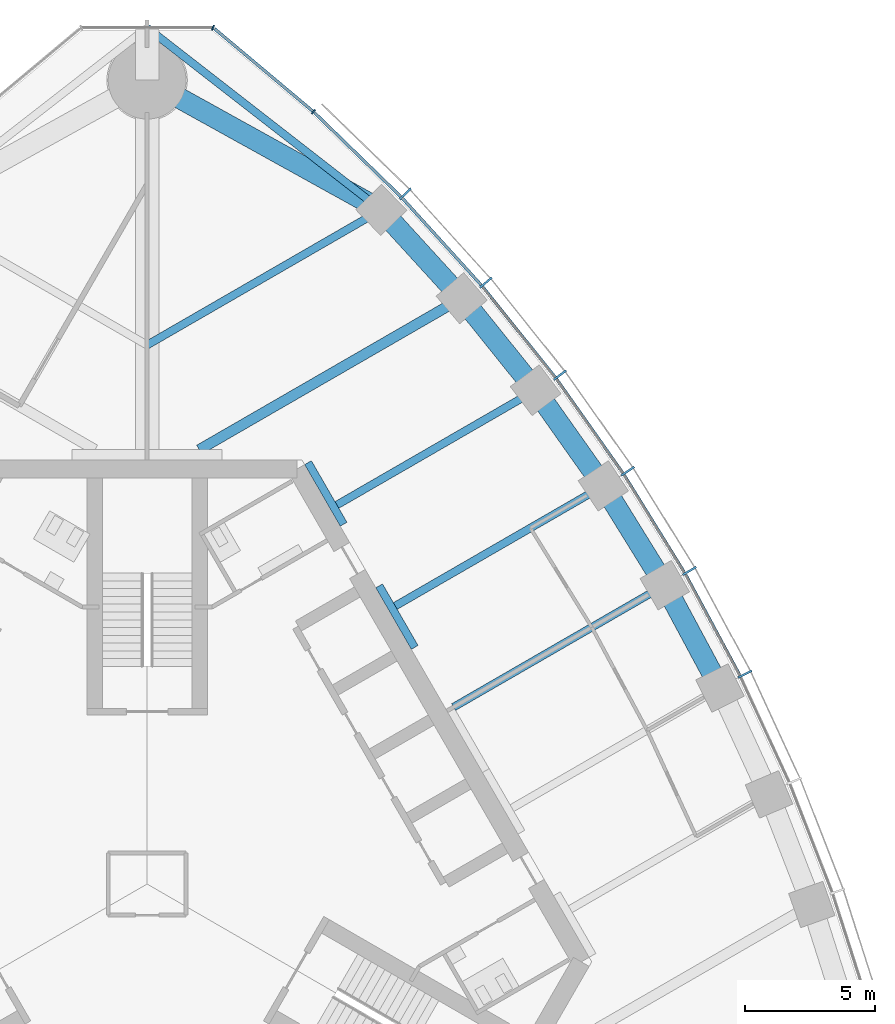
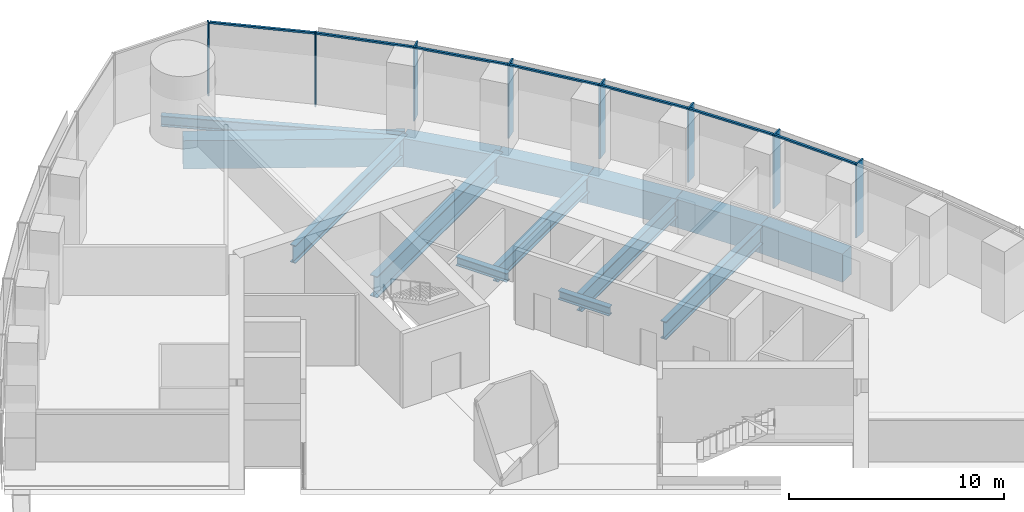
# One storey, part 6 of 15: 15 members, 14 beams, 2 elements without a shape of their own.
"""IFC4 building model written with IfcOpenShell, lengths in metres."""

import ifcopenshell
import ifcopenshell.guid

model = None  # the IFC model being written
_history = None  # IfcOwnerHistory: only IFC2X3 demands one
_inside = {}  # id of a spatial element -> (the spatial element, [elements in it])
_under = {}  # id of a project, library or spatial element -> (it, [spatial elements below it])
_declared = {}  # id of a project -> (the project, [libraries it declares])
_typed = {}  # id of a type object -> (the type object, [elements of that type])
_made_of = {}  # id of a material, layer set ... -> (it, [elements and type objects made of it])


def new_model(schema):
    """Start an empty IFC model of exactly this schema.

    Asked for "IFC4X3", IfcOpenShell would pick the latest addendum, in which some entities
    have other attributes; the version numbers below select the first issue.
    IFC2X3 requires an IfcOwnerHistory on every rooted entity: one is made here for all.
    """
    global model, _history
    if schema == "IFC4X3":
        model = ifcopenshell.file(schema_version=(4, 3, 0, 0))
    else:
        model = ifcopenshell.file(schema=schema)
    _inside.clear()
    _under.clear()
    _declared.clear()
    _typed.clear()
    _made_of.clear()
    _history = None
    if model.schema == "IFC2X3":
        org = make("IfcOrganization", Name="unknown")
        user = make(
            "IfcPersonAndOrganization",
            ThePerson=make("IfcPerson", FamilyName="unknown"),
            TheOrganization=org,
        )
        app = make(
            "IfcApplication",
            ApplicationDeveloper=org,
            Version="unknown",
            ApplicationFullName="unknown",
            ApplicationIdentifier="unknown",
        )
        _history = make(
            "IfcOwnerHistory",
            OwningUser=user,
            OwningApplication=app,
            ChangeAction="ADDED",
            CreationDate=0,
        )
    return model


def make(cls, **values):
    """One entity of the class cls with the attributes given. An attribute that is None is left unset."""
    return model.create_entity(
        cls, **{name: value for name, value in values.items() if value is not None}
    )


def rooted(cls, **values):
    """An entity with a GlobalId (a new one), such as an element, a storey or a relation."""
    return make(cls, GlobalId=ifcopenshell.guid.new(), OwnerHistory=_history, **values)


def si_unit(unit_type, name, prefix=None):
    """IfcSIUnit, for example si_unit("LENGTHUNIT", "METRE", prefix="MILLI")."""
    return make("IfcSIUnit", UnitType=unit_type, Prefix=prefix, Name=name)


def assignment(units):
    """IfcUnitAssignment: the units of a project."""
    return None if units is None else make("IfcUnitAssignment", Units=units)


def point(xyz):
    """IfcCartesianPoint."""
    return None if xyz is None else make("IfcCartesianPoint", Coordinates=xyz)


def direction(xyz):
    """IfcDirection."""
    return None if xyz is None else make("IfcDirection", DirectionRatios=xyz)


def frame(location, z_axis=None, x_axis=None):
    """IfcAxis2Placement3D, a coordinate frame: its origin and axes. An axis left out is left unset."""
    return make(
        "IfcAxis2Placement3D",
        Location=point(location),
        Axis=direction(z_axis),
        RefDirection=direction(x_axis),
    )


def frame_2d(location, x_axis=None):
    """IfcAxis2Placement2D, a coordinate frame in the plane: its origin and x axis."""
    return make(
        "IfcAxis2Placement2D", Location=point(location), RefDirection=direction(x_axis)
    )


def origin():
    """The frame at (0, 0, 0) with its axes left unset."""
    return frame((0.0, 0.0, 0.0))


def origin_2d():
    """The frame at (0, 0) in the plane with its x axis left unset."""
    return frame_2d((0.0, 0.0))


def place(relative_to, where):
    """IfcLocalPlacement: puts the frame where relative to a parent placement (None: the world)."""
    return make(
        "IfcLocalPlacement", PlacementRelTo=relative_to, RelativePlacement=where
    )


def context(
    kind, dimensions, precision=None, world=None, true_north=None, identifier=None
):
    """IfcGeometricRepresentationContext, for example the 3D "Model" context."""
    return make(
        "IfcGeometricRepresentationContext",
        ContextIdentifier=identifier,
        ContextType=kind,
        CoordinateSpaceDimension=dimensions,
        Precision=precision,
        WorldCoordinateSystem=world,
        TrueNorth=true_north,
    )


def subcontext(parent, identifier, kind, view, scale=None):
    """IfcGeometricRepresentationSubContext, for example "Body" below "Model"."""
    return make(
        "IfcGeometricRepresentationSubContext",
        ContextIdentifier=identifier,
        ContextType=kind,
        ParentContext=parent,
        TargetScale=scale,
        TargetView=view,
    )


def project(units=None, contexts=None):
    """IfcProject with its units and contexts."""
    return rooted(
        "IfcProject",
        Name="project",
        RepresentationContexts=contexts,
        UnitsInContext=assignment(units),
    )


def spatial(cls, under=None, at=None, **own):
    """A site, building, storey or space (cls), placed at a placement, below another one or the project."""
    s = rooted(cls, ObjectPlacement=at, **own)
    if under is not None:
        _under.setdefault(under.id(), (under, []))[1].append(s)
    return s


def profile(cls, at=None, kind="AREA", **sizes):
    """A parametric profile (cls). Its sizes go by their IFC names, for example OverallWidth=200.0."""
    return make(cls, ProfileType=kind, Position=at, **sizes)


def rectangle(**sizes):
    """IfcRectangleProfileDef."""
    return profile("IfcRectangleProfileDef", **sizes)


def i_section(**sizes):
    """IfcIShapeProfileDef."""
    return profile("IfcIShapeProfileDef", **sizes)


def extrude(swept, where, along, depth):
    """IfcExtrudedAreaSolid: the profile swept, set in the frame where, extruded along a direction by depth."""
    return make(
        "IfcExtrudedAreaSolid",
        SweptArea=swept,
        Position=where,
        ExtrudedDirection=direction(along),
        Depth=depth,
    )


def shape(context_of_items, identifier, shape_type, items):
    """IfcShapeRepresentation: the items that make up one representation, for example the "Body"."""
    return make(
        "IfcShapeRepresentation",
        ContextOfItems=context_of_items,
        RepresentationIdentifier=identifier,
        RepresentationType=shape_type,
        Items=items,
    )


def material(Name=None, Category=None):
    """IfcMaterial."""
    return make("IfcMaterial", Name=Name, Category=Category)


def material_profile(
    of_material, cross_section, Name=None, Category=None, Priority=None
):
    """IfcMaterialProfile: a cross section and its material."""
    return make(
        "IfcMaterialProfile",
        Name=Name,
        Material=of_material,
        Profile=cross_section,
        Priority=Priority,
        Category=Category,
    )


def profile_set(profiles, Name=None, composite=None):
    """IfcMaterialProfileSet."""
    return make(
        "IfcMaterialProfileSet",
        Name=Name,
        MaterialProfiles=profiles,
        CompositeProfile=composite,
    )


def made_of(thing, what):
    """Note that an element or type object is made of a material, layer set ...; save() writes the relation."""
    if what is not None:
        _made_of.setdefault(what.id(), (what, []))[1].append(thing)
    return thing


def type_object(cls, material=None, **own):
    """A type object (cls), such as IfcWallType, which elements share."""
    return made_of(rooted(cls, **own), material)


def element(
    cls,
    number,
    at=None,
    inside=None,
    cuts=None,
    type_object=None,
    material=None,
    context=None,
    identifier="Body",
    shape_type=None,
    held_by="IfcProductDefinitionShape",
    body=None,
    shapes=None,
    **own,
):
    """One element of the class cls, such as IfcWall. Its Tag is "e" and its number.

    at: its placement. inside: the storey or other place that contains it. cuts: it is an
    opening in that element (IfcRelVoidsElement). A single representation is given by context,
    identifier, shape_type and body (its items); several are given by shapes. held_by: the class
    of the entity that holds the representations. save() writes the other relations.
    """
    e = rooted(cls, Tag="e%d" % number, ObjectPlacement=at, **own)
    if body is not None:
        shapes = [shape(context, identifier, shape_type, body)]
    if shapes is not None:
        e.Representation = make(held_by, Representations=shapes)
    if inside is not None:
        _inside.setdefault(inside.id(), (inside, []))[1].append(e)
    if cuts is not None:
        rooted(
            "IfcRelVoidsElement", RelatingBuildingElement=cuts, RelatedOpeningElement=e
        )
    if type_object is not None:
        _typed.setdefault(type_object.id(), (type_object, []))[1].append(e)
    return made_of(e, material)


def aggregate(whole, parts):
    """IfcRelAggregates: a whole, such as a stair, and the parts it consists of."""
    return rooted("IfcRelAggregates", RelatingObject=whole, RelatedObjects=parts)


def save(model, path):
    """Write the relations noted so far, then the file.

    IfcRelAggregates (storeys below a building ...), IfcRelContainedInSpatialStructure (elements
    in a storey), IfcRelDefinesByType, IfcRelAssociatesMaterial and IfcRelDeclares: one each for
    every whole, place, type object, material and project.
    """
    for whole, parts in _under.values():
        aggregate(whole, parts)
    for where, things in _inside.values():
        rooted(
            "IfcRelContainedInSpatialStructure",
            RelatedElements=things,
            RelatingStructure=where,
        )
    for kind, things in _typed.values():
        rooted("IfcRelDefinesByType", RelatedObjects=things, RelatingType=kind)
    for what, things in _made_of.values():
        rooted("IfcRelAssociatesMaterial", RelatedObjects=things, RelatingMaterial=what)
    for by, libraries in _declared.values():
        rooted("IfcRelDeclares", RelatingContext=by, RelatedDefinitions=libraries)
    model.write(path)


model = new_model("IFC4")

# Units and contexts
model_context = context("Model", 3, precision=1e-05, world=origin(), true_north=direction((0.0, 1.0)))
body_context = subcontext(model_context, "Body", "Model", "MODEL_VIEW")
ifc_project = project(units=[si_unit("LENGTHUNIT", "METRE"), si_unit("AREAUNIT", "SQUARE_METRE"), si_unit("VOLUMEUNIT", "CUBIC_METRE"), si_unit("PLANEANGLEUNIT", "RADIAN"), si_unit("MASSUNIT", "GRAM", prefix="KILO")], contexts=[model_context])

# Site, building, storey
site_placement = place(None, origin())
site = spatial("IfcSite", under=ifc_project, at=site_placement, CompositionType="ELEMENT")
building_placement = place(site_placement, origin())
building = spatial("IfcBuilding", under=site, at=building_placement, Name="Trefoil Bronze Tower", CompositionType="ELEMENT")
storey_placement = place(building_placement, frame((0.0, 0.0, 288.89990234375)))
storey = spatial("IfcBuildingStorey", under=building, at=storey_placement, Name="L66", CompositionType="ELEMENT", Elevation=288.89990234375)

# Curtain wall, members
ifc_material_1 = material(Name="Tinted solar-control glass", Category="glass")
curtain_wall_type_1 = type_object("IfcCurtainWallType", Name="Bronze office curtain wall", PredefinedType="USERDEFINED", material=ifc_material_1)
curtain_wall_1_placement = place(storey_placement, origin())
curtain_wall_1 = element("IfcCurtainWall", 1, at=curtain_wall_1_placement, inside=storey, type_object=curtain_wall_type_1, Name="CW-A L66 F2", ObjectType="CURTAIN WALL", PredefinedType="USERDEFINED")
ifc_material_2 = material(Name="Bronze-finish aluminium", Category="aluminium")
ifc_material_profile_1 = material_profile(ifc_material_2, rectangle(XDim=0.60009765625, YDim=0.080078125, at=origin_2d()), Name="CW-A mullion")
ifc_profile_set_1 = profile_set([ifc_material_profile_1], Name="Bronze-finish aluminium")
member_type_1 = type_object("IfcMemberType", Name="Bronze office curtain wall mullion", PredefinedType="MULLION", material=ifc_profile_set_1)
member_1_placement = place(storey_placement, frame((23.056396484375, 8.094482421875, 0.0), z_axis=(0.0, 0.0, 1.0), x_axis=(-0.894713198289, -0.44664112306, 0.0)))
member_1 = element("IfcMember", 2, at=member_1_placement, type_object=member_type_1, Name="CW-A L66 F2 mullion 5", PredefinedType="MULLION", context=body_context, shape_type="SweptSolid", body=[
    extrude(rectangle(XDim=0.60009765625, YDim=0.080078125, at=origin_2d()), origin(), (0.0, 0.0, 1.0), 4.18017578125),
])
member_2_placement = place(storey_placement, frame((20.916015625, 12.07568359375, 0.0), z_axis=(0.0, 0.0, 1.0), x_axis=(-0.866025403784, -0.5, 0.0)))
member_2 = element("IfcMember", 3, at=member_2_placement, type_object=member_type_1, Name="CW-A L66 F2 mullion 6", PredefinedType="MULLION", context=body_context, shape_type="SweptSolid", body=[
    extrude(rectangle(XDim=0.60009765625, YDim=0.080078125, at=origin_2d()), origin(), (0.0, 0.0, 1.0), 4.18017578125),
])
member_3_placement = place(storey_placement, frame((18.538330078125, 15.920166015625, 0.0), z_axis=(0.0, 0.0, 1.0), x_axis=(-0.834159158089, -0.551523797289, 0.0)))
member_3 = element("IfcMember", 4, at=member_3_placement, type_object=member_type_1, Name="CW-A L66 F2 mullion 7", PredefinedType="MULLION", context=body_context, shape_type="SweptSolid", body=[
    extrude(rectangle(XDim=0.60009765625, YDim=0.080078125, at=origin_2d()), origin(), (0.0, 0.0, 1.0), 4.18017578125),
])
member_4_placement = place(storey_placement, frame((15.922607421875, 19.627197265625, 0.0), z_axis=(0.0, 0.0, 1.0), x_axis=(-0.799096076136, -0.601203344222, 0.0)))
member_4 = element("IfcMember", 5, at=member_4_placement, type_object=member_type_1, Name="CW-A L66 F2 mullion 8", PredefinedType="MULLION", context=body_context, shape_type="SweptSolid", body=[
    extrude(rectangle(XDim=0.60009765625, YDim=0.080078125, at=origin_2d()), origin(), (0.0, 0.0, 1.0), 4.18017578125),
])
member_5_placement = place(storey_placement, frame((13.064453125, 23.194091796875, 0.0), z_axis=(0.0, 0.0, 1.0), x_axis=(-0.760781190165, -0.649008459646, 0.0)))
member_5 = element("IfcMember", 6, at=member_5_placement, type_object=member_type_1, Name="CW-A L66 F2 mullion 9", PredefinedType="MULLION", context=body_context, shape_type="SweptSolid", body=[
    extrude(rectangle(XDim=0.60009765625, YDim=0.080078125, at=origin_2d()), origin(), (0.0, 0.0, 1.0), 4.18017578125),
])
member_6_placement = place(storey_placement, frame((9.957275390625, 26.617431640625, 0.0), z_axis=(0.0, 0.0, 1.0), x_axis=(-0.719001349715, -0.695008675564, 0.0)))
member_6 = element("IfcMember", 7, at=member_6_placement, type_object=member_type_1, Name="CW-A L66 F2 mullion 10", PredefinedType="MULLION", context=body_context, shape_type="SweptSolid", body=[
    extrude(rectangle(XDim=0.60009765625, YDim=0.080078125, at=origin_2d()), origin(), (0.0, 0.0, 1.0), 4.18017578125),
])
ifc_material_3 = material(Name="Bronze-finish aluminium", Category="aluminium")
ifc_material_profile_2 = material_profile(ifc_material_3, rectangle(XDim=0.1201171875, YDim=0.10009765625, at=origin_2d()), Name="CW-A transom")
ifc_profile_set_2 = profile_set([ifc_material_profile_2], Name="Bronze-finish aluminium")
member_type_2 = type_object("IfcMemberType", Name="Bronze office curtain wall transom", PredefinedType="USERDEFINED", material=ifc_profile_set_2)
member_7_placement = place(storey_placement, frame((22.857177734375, 8.043212890625, 4.130126953125), z_axis=(-0.473540024981, 0.880772300167, 0.0), x_axis=(-0.880772300167, -0.473540024981, 0.0)))
member_7 = element("IfcMember", 8, at=member_7_placement, type_object=member_type_2, Name="CW-A L66 F2 transom 5", ObjectType="TRANSOM", PredefinedType="USERDEFINED", context=body_context, shape_type="SweptSolid", body=[
    extrude(rectangle(XDim=0.1201171875, YDim=0.10009765625, at=origin_2d()), origin(), (0.0, 0.0, 1.0), 4.422119140625),
])
member_8_placement = place(storey_placement, frame((20.72021484375, 12.012451171875, 4.130126953125), z_axis=(-0.525978235299, 0.850498028212, 0.0), x_axis=(-0.850498028212, -0.525978235299, 0.0)))
member_8 = element("IfcMember", 9, at=member_8_placement, type_object=member_type_2, Name="CW-A L66 F2 transom 6", ObjectType="TRANSOM", PredefinedType="USERDEFINED", context=body_context, shape_type="SweptSolid", body=[
    extrude(rectangle(XDim=0.1201171875, YDim=0.10009765625, at=origin_2d()), origin(), (0.0, 0.0, 1.0), 4.422119140625),
])
member_9_placement = place(storey_placement, frame((18.3466796875, 15.84521484375, 4.130126953125), z_axis=(-0.5765665752, 0.817050172488, 0.0), x_axis=(-0.817050172488, -0.5765665752, 0.0)))
member_9 = element("IfcMember", 10, at=member_9_placement, type_object=member_type_2, Name="CW-A L66 F2 transom 7", ObjectType="TRANSOM", PredefinedType="USERDEFINED", context=body_context, shape_type="SweptSolid", body=[
    extrude(rectangle(XDim=0.1201171875, YDim=0.10009765625, at=origin_2d()), origin(), (0.0, 0.0, 1.0), 4.4384765625),
])
member_10_placement = place(storey_placement, frame((15.73583984375, 19.54052734375, 4.130126953125), z_axis=(-0.625300648488, 0.780383943325, 0.0), x_axis=(-0.780383943325, -0.625300648488, 0.0)))
member_10 = element("IfcMember", 11, at=member_10_placement, type_object=member_type_2, Name="CW-A L66 F2 transom 8", ObjectType="TRANSOM", PredefinedType="USERDEFINED", context=body_context, shape_type="SweptSolid", body=[
    extrude(rectangle(XDim=0.1201171875, YDim=0.10009765625, at=origin_2d()), origin(), (0.0, 0.0, 1.0), 4.472412109375),
])
member_11_placement = place(storey_placement, frame((12.88330078125, 23.09619140625, 4.130126953125), z_axis=(-0.672068269674, 0.740489190264, 0.0), x_axis=(-0.740489190264, -0.672068269674, 0.0)))
member_11 = element("IfcMember", 12, at=member_11_placement, type_object=member_type_2, Name="CW-A L66 F2 transom 9", ObjectType="TRANSOM", PredefinedType="USERDEFINED", context=body_context, shape_type="SweptSolid", body=[
    extrude(rectangle(XDim=0.1201171875, YDim=0.10009765625, at=origin_2d()), origin(), (0.0, 0.0, 1.0), 4.5244140625),
])
member_12_placement = place(storey_placement, frame((9.782470703125, 26.508544921875, 4.130126953125), z_axis=(-0.717224617883, 0.696842053484, 0.0), x_axis=(-0.696842053484, -0.717224617883, 0.0)))
member_12 = element("IfcMember", 13, at=member_12_placement, type_object=member_type_2, Name="CW-A L66 F2 transom 10", ObjectType="TRANSOM", PredefinedType="USERDEFINED", context=body_context, shape_type="SweptSolid", body=[
    extrude(rectangle(XDim=0.1201171875, YDim=0.10009765625, at=origin_2d()), origin(), (0.0, 0.0, 1.0), 4.6474609375),
])
aggregate(curtain_wall_1, [member_1, member_2, member_3, member_4, member_5, member_6, member_7, member_8, member_9, member_10, member_11, member_12])

ifc_material_4 = material(Name="Tinted solar-control glass", Category="glass")
curtain_wall_type_2 = type_object("IfcCurtainWallType", Name="Bronze rounded corner curtain wall", PredefinedType="USERDEFINED", material=ifc_material_4)
curtain_wall_2_placement = place(storey_placement, origin())
curtain_wall_2 = element("IfcCurtainWall", 14, at=curtain_wall_2_placement, inside=storey, type_object=curtain_wall_type_2, Name="CW-B L66 K2", ObjectType="CURTAIN WALL", PredefinedType="USERDEFINED")
ifc_material_5 = material(Name="Bronze-finish aluminium", Category="aluminium")
ifc_material_profile_3 = material_profile(ifc_material_5, rectangle(XDim=0.199951171875, YDim=0.06005859375, at=origin_2d()), Name="CW-B mullion")
ifc_profile_set_3 = profile_set([ifc_material_profile_3], Name="Bronze-finish aluminium")
member_type_3 = type_object("IfcMemberType", Name="Bronze rounded corner curtain wall mullion", PredefinedType="MULLION", material=ifc_profile_set_3)
member_13_placement = place(storey_placement, frame((6.4150390625, 29.77978515625, 0.0), z_axis=(0.0, 0.0, 1.0), x_axis=(-0.642787609687, -0.766044443119, 0.0)))
member_13 = element("IfcMember", 15, at=member_13_placement, type_object=member_type_3, Name="CW-B L66 K2 mullion 1", PredefinedType="MULLION", context=body_context, shape_type="SweptSolid", body=[
    extrude(rectangle(XDim=0.199951171875, YDim=0.06005859375, at=origin_2d()), origin(), (0.0, 0.0, 1.0), 4.18017578125),
])
member_14_placement = place(storey_placement, frame((2.542236328125, 33.021484375, 0.0), z_axis=(0.0, 0.0, 1.0), x_axis=(-0.342020143326, -0.939692620786, 0.0)))
member_14 = element("IfcMember", 16, at=member_14_placement, type_object=member_type_3, Name="CW-B L66 K2 mullion 2", PredefinedType="MULLION", context=body_context, shape_type="SweptSolid", body=[
    extrude(rectangle(XDim=0.199951171875, YDim=0.06005859375, at=origin_2d()), origin(), (0.0, 0.0, 1.0), 4.18017578125),
])
ifc_material_6 = material(Name="Bronze-finish aluminium", Category="aluminium")
ifc_material_profile_4 = material_profile(ifc_material_6, rectangle(XDim=0.1201171875, YDim=0.10009765625, at=origin_2d()), Name="CW-B transom")
ifc_profile_set_4 = profile_set([ifc_material_profile_4], Name="Bronze-finish aluminium")
member_type_4 = type_object("IfcMemberType", Name="Bronze rounded corner curtain wall transom", PredefinedType="USERDEFINED", material=ifc_profile_set_4)
member_15_placement = place(storey_placement, frame((6.39208984375, 29.799072265625, 4.130126953125), z_axis=(-0.766040522511, 0.642792282056, 0.0), x_axis=(-0.642792282056, -0.766040522511, 0.0)))
member_15 = element("IfcMember", 17, at=member_15_placement, type_object=member_type_4, Name="CW-B L66 K2 transom 1", ObjectType="TRANSOM", PredefinedType="USERDEFINED", context=body_context, shape_type="SweptSolid", body=[
    extrude(rectangle(XDim=0.1201171875, YDim=0.10009765625, at=origin_2d()), origin(), (0.0, 0.0, 1.0), 4.9560546875),
])
aggregate(curtain_wall_2, [member_13, member_14, member_15])

# Beams
ifc_material_7 = material(Name="Steel C355", Category="steel")
ifc_material_profile_5 = material_profile(ifc_material_7, i_section(OverallWidth=0.300048828125, OverallDepth=0.5, WebThickness=0.014404296875, FlangeThickness=0.028076171875, FilletRadius=0.027099609375, at=origin_2d()), Name="HEB 500")
ifc_profile_set_5 = profile_set([ifc_material_profile_5], Name="Steel C355")
beam_type_1 = type_object("IfcBeamType", Name="Core seat beam HEB 500", PredefinedType="BEAM", material=ifc_profile_set_5)
for number, where, z_axis, x_axis, name in (
    (18, (10.320068359375, 9.125, -0.449951171875), (-0.499969057507, 0.866043267704, 0.0), (-0.866043267704, -0.499969057507, 0.0), "Core seat beam F2/+1 L66"),
    (19, (7.57763671875, 13.875, -0.449951171875), (-0.499969057507, 0.866043267704, 0.0), (-0.866043267704, -0.499969057507, 0.0), "Core seat beam F2/+2 L66"),
):
    element("IfcBeam", number, at=place(storey_placement, frame(where, z_axis=z_axis, x_axis=x_axis)), inside=storey, type_object=beam_type_1, Name=name, PredefinedType="BEAM", context=body_context, shape_type="SweptSolid", body=[
        extrude(i_section(OverallWidth=0.300048828125, OverallDepth=0.5, WebThickness=0.014404296875, FlangeThickness=0.028076171875, FilletRadius=0.027099609375, at=origin_2d()), origin(), (0.0, 0.0, 1.0), 2.742431640625),
    ])
ifc_material_8 = material(Name="Steel C355", Category="steel")
ifc_material_profile_6 = material_profile(ifc_material_8, i_section(OverallWidth=0.300048828125, OverallDepth=0.60009765625, WebThickness=0.015380859375, FlangeThickness=0.030029296875, FilletRadius=0.027099609375, at=origin_2d()), Name="HEB 600")
ifc_profile_set_6 = profile_set([ifc_material_profile_6], Name="Steel C355")
beam_type_2 = type_object("IfcBeamType", Name="Corner edge beam HEB 600", PredefinedType="BEAM", material=ifc_profile_set_6)
beam_1_placement = place(storey_placement, frame((9.02734375, 25.99658203125, -0.5), z_axis=(-0.789270604977, 0.614045529354, 0.0), x_axis=(-0.614045529354, -0.789270604977, 0.0)))
element("IfcBeam", 20, at=beam_1_placement, inside=storey, type_object=beam_type_2, Name="Corner edge beam F2A L66", PredefinedType="BEAM", context=body_context, shape_type="SweptSolid", body=[
    extrude(i_section(OverallWidth=0.300048828125, OverallDepth=0.60009765625, WebThickness=0.015380859375, FlangeThickness=0.030029296875, FilletRadius=0.027099609375, at=origin_2d()), origin(), (0.0, 0.0, 1.0), 11.4375),
])
ifc_material_9 = material(Name="Concrete B80", Category="concrete")
ifc_material_profile_7 = material_profile(ifc_material_9, rectangle(XDim=0.800048828125, YDim=1.60009765625, at=origin_2d()), Name="RC 800x1600")
ifc_profile_set_7 = profile_set([ifc_material_profile_7], Name="Concrete B80")
beam_type_3 = type_object("IfcBeamType", Name="End spandrel beam RC 800x1600", PredefinedType="SPANDREL", material=ifc_profile_set_7)
beam_2_placement = place(storey_placement, frame((9.02734375, 25.99658203125, -1.0), z_axis=(-0.874641085074, 0.484771051426, 0.0), x_axis=(-0.484771051426, -0.874641085074, 0.0)))
element("IfcBeam", 21, at=beam_2_placement, inside=storey, type_object=beam_type_3, Name="Spandrel F2.10 L66", PredefinedType="SPANDREL", context=body_context, shape_type="SweptSolid", body=[
    extrude(rectangle(XDim=0.800048828125, YDim=1.60009765625, at=origin_2d()), origin(), (0.0, 0.0, 1.0), 10.3212890625),
])
ifc_material_10 = material(Name="Steel C355", Category="steel")
ifc_material_profile_8 = material_profile(ifc_material_10, i_section(OverallWidth=0.300048828125, OverallDepth=1.0, WebThickness=0.01904296875, FlangeThickness=0.035888671875, FilletRadius=0.030029296875, at=origin_2d()), Name="HEB 1000")
ifc_profile_set_8 = profile_set([ifc_material_profile_8], Name="Steel C355")
beam_type_4 = type_object("IfcBeamType", Name="Floor beam HEB 1000", PredefinedType="BEAM", material=ifc_profile_set_8)
beam_3_placement = place(storey_placement, frame((19.96337890625, 11.52587890625, -0.699951171875), z_axis=(-0.866021259968, -0.500007177232, 0.0), x_axis=(0.500007177232, -0.866021259968, 0.0)))
element("IfcBeam", 22, at=beam_3_placement, inside=storey, type_object=beam_type_4, Name="Floor beam F2/+0 L66", PredefinedType="BEAM", context=body_context, shape_type="SweptSolid", body=[
    extrude(i_section(OverallWidth=0.300048828125, OverallDepth=1.0, WebThickness=0.01904296875, FlangeThickness=0.035888671875, FilletRadius=0.030029296875, at=origin_2d()), origin(), (0.0, 0.0, 1.0), 9.401611328125),
])
beam_4_placement = place(storey_placement, frame((17.593994140625, 15.35400390625, -0.699951171875), z_axis=(-0.866028909405, -0.499993928037, 0.0), x_axis=(0.499993928037, -0.866028909405, 0.0)))
element("IfcBeam", 23, at=beam_4_placement, inside=storey, type_object=beam_type_4, Name="Floor beam F2/+1 L66", PredefinedType="BEAM", context=body_context, shape_type="SweptSolid", body=[
    extrude(i_section(OverallWidth=0.300048828125, OverallDepth=1.0, WebThickness=0.01904296875, FlangeThickness=0.035888671875, FilletRadius=0.030029296875, at=origin_2d()), origin(), (0.0, 0.0, 1.0), 9.263671875),
])
ifc_material_11 = material(Name="Steel C355", Category="steel")
ifc_material_profile_9 = material_profile(ifc_material_11, i_section(OverallWidth=0.300048828125, OverallDepth=0.89990234375, WebThickness=0.0185546875, FlangeThickness=0.034912109375, FilletRadius=0.030029296875, at=origin_2d()), Name="HEB 900")
ifc_profile_set_9 = profile_set([ifc_material_profile_9], Name="Steel C355")
beam_type_5 = type_object("IfcBeamType", Name="Floor beam HEB 900", PredefinedType="BEAM", material=ifc_profile_set_9)
beam_5_placement = place(storey_placement, frame((14.98486328125, 19.043701171875, -0.64990234375), z_axis=(-0.866025701847, -0.499999483739, 0.0), x_axis=(0.499999483739, -0.866025701847, 0.0)))
element("IfcBeam", 24, at=beam_5_placement, inside=storey, type_object=beam_type_5, Name="Floor beam F2/+2 L66", PredefinedType="BEAM", context=body_context, shape_type="SweptSolid", body=[
    extrude(i_section(OverallWidth=0.300048828125, OverallDepth=0.89990234375, WebThickness=0.0185546875, FlangeThickness=0.034912109375, FilletRadius=0.030029296875, at=origin_2d()), origin(), (0.0, 0.0, 1.0), 8.84912109375),
])
ifc_material_12 = material(Name="Steel C355", Category="steel")
ifc_material_profile_10 = material_profile(ifc_material_12, i_section(OverallWidth=0.302001953125, OverallDepth=1.008056640625, WebThickness=0.02099609375, FlangeThickness=0.0400390625, FilletRadius=0.030029296875, at=origin_2d()), Name="HEM 1000")
ifc_profile_set_10 = profile_set([ifc_material_profile_10], Name="Steel C355")
beam_type_6 = type_object("IfcBeamType", Name="Floor beam HEM 1000", PredefinedType="BEAM", material=ifc_profile_set_10)
beam_6_placement = place(storey_placement, frame((9.02734375, 25.99658203125, -0.703857421875), z_axis=(-0.866026453994, -0.499998180979, 0.0), x_axis=(0.499998180979, -0.866026453994, 0.0)))
element("IfcBeam", 25, at=beam_6_placement, inside=storey, type_object=beam_type_6, Name="Floor beam F2/+4 L66", PredefinedType="BEAM", context=body_context, shape_type="SweptSolid", body=[
    extrude(i_section(OverallWidth=0.302001953125, OverallDepth=1.008056640625, WebThickness=0.02099609375, FlangeThickness=0.0400390625, FilletRadius=0.030029296875, at=origin_2d()), origin(), (0.0, 0.0, 1.0), 10.423828125),
])
ifc_material_13 = material(Name="Steel C355", Category="steel")
ifc_material_profile_11 = material_profile(ifc_material_13, i_section(OverallWidth=0.39990234375, OverallDepth=1.199951171875, WebThickness=0.02001953125, FlangeThickness=0.0400390625, FilletRadius=0.010009765625, at=origin_2d()), Name="WPG 1200")
ifc_profile_set_11 = profile_set([ifc_material_profile_11], Name="Steel C355")
beam_type_7 = type_object("IfcBeamType", Name="Floor beam WPG 1200", PredefinedType="BEAM", material=ifc_profile_set_11)
beam_7_placement = place(storey_placement, frame((12.131591796875, 22.5927734375, -0.7998046875), z_axis=(-0.866017882563, -0.500013026912, 0.0), x_axis=(0.500013026912, -0.866017882563, 0.0)))
element("IfcBeam", 26, at=beam_7_placement, inside=storey, type_object=beam_type_7, Name="Floor beam F2/+3 L66", PredefinedType="BEAM", context=body_context, shape_type="SweptSolid", body=[
    extrude(i_section(OverallWidth=0.39990234375, OverallDepth=1.199951171875, WebThickness=0.02001953125, FlangeThickness=0.0400390625, FilletRadius=0.010009765625, at=origin_2d()), origin(), (0.0, 0.0, 1.0), 11.685302734375),
])
ifc_material_14 = material(Name="Concrete B80", Category="concrete")
ifc_material_profile_12 = material_profile(ifc_material_14, rectangle(XDim=0.800048828125, YDim=1.60009765625, at=origin_2d()), Name="RC 800x1600")
ifc_profile_set_12 = profile_set([ifc_material_profile_12], Name="Concrete B80")
beam_type_8 = type_object("IfcBeamType", Name="Spandrel beam RC 800x1600", PredefinedType="SPANDREL", material=ifc_profile_set_12)
beam_8_placement = place(storey_placement, frame((22.093994140625, 7.559814453125, -1.0), z_axis=(-0.473245885676, 0.880930378458, 0.0), x_axis=(-0.880930378458, -0.473245885676, 0.0)))
element("IfcBeam", 27, at=beam_8_placement, inside=storey, type_object=beam_type_8, Name="Spandrel F2.5 L66", PredefinedType="SPANDREL", context=body_context, shape_type="SweptSolid", body=[
    extrude(rectangle(XDim=0.800048828125, YDim=1.60009765625, at=origin_2d()), origin(), (0.0, 0.0, 1.0), 4.502197265625),
])
beam_9_placement = place(storey_placement, frame((19.96337890625, 11.52587890625, -1.0), z_axis=(-0.526289271956, 0.850305593433, 0.0), x_axis=(-0.850305593433, -0.526289271956, 0.0)))
element("IfcBeam", 28, at=beam_9_placement, inside=storey, type_object=beam_type_8, Name="Spandrel F2.6 L66", PredefinedType="SPANDREL", context=body_context, shape_type="SweptSolid", body=[
    extrude(rectangle(XDim=0.800048828125, YDim=1.60009765625, at=origin_2d()), origin(), (0.0, 0.0, 1.0), 4.501953125),
])
beam_10_placement = place(storey_placement, frame((17.593994140625, 15.35400390625, -1.0), z_axis=(-0.577368105169, 0.816483968693, 0.0), x_axis=(-0.816483968693, -0.577368105169, 0.0)))
element("IfcBeam", 29, at=beam_10_placement, inside=storey, type_object=beam_type_8, Name="Spandrel F2.7 L66", PredefinedType="SPANDREL", context=body_context, shape_type="SweptSolid", body=[
    extrude(rectangle(XDim=0.800048828125, YDim=1.60009765625, at=origin_2d()), origin(), (0.0, 0.0, 1.0), 4.51904296875),
])
beam_11_placement = place(storey_placement, frame((14.98486328125, 19.043701171875, -1.0), z_axis=(-0.626569682592, 0.779365403939, 0.0), x_axis=(-0.779365403939, -0.626569682592, 0.0)))
element("IfcBeam", 30, at=beam_11_placement, inside=storey, type_object=beam_type_8, Name="Spandrel F2.8 L66", PredefinedType="SPANDREL", context=body_context, shape_type="SweptSolid", body=[
    extrude(rectangle(XDim=0.800048828125, YDim=1.60009765625, at=origin_2d()), origin(), (0.0, 0.0, 1.0), 4.5537109375),
])
beam_12_placement = place(storey_placement, frame((12.131591796875, 22.5927734375, -1.0), z_axis=(-0.673845775847, 0.738872025707, 0.0), x_axis=(-0.738872025707, -0.673845775847, 0.0)))
element("IfcBeam", 31, at=beam_12_placement, inside=storey, type_object=beam_type_8, Name="Spandrel F2.9 L66", PredefinedType="SPANDREL", context=body_context, shape_type="SweptSolid", body=[
    extrude(rectangle(XDim=0.800048828125, YDim=1.60009765625, at=origin_2d()), origin(), (0.0, 0.0, 1.0), 4.606689453125),
])

save(model, "model.ifc")
